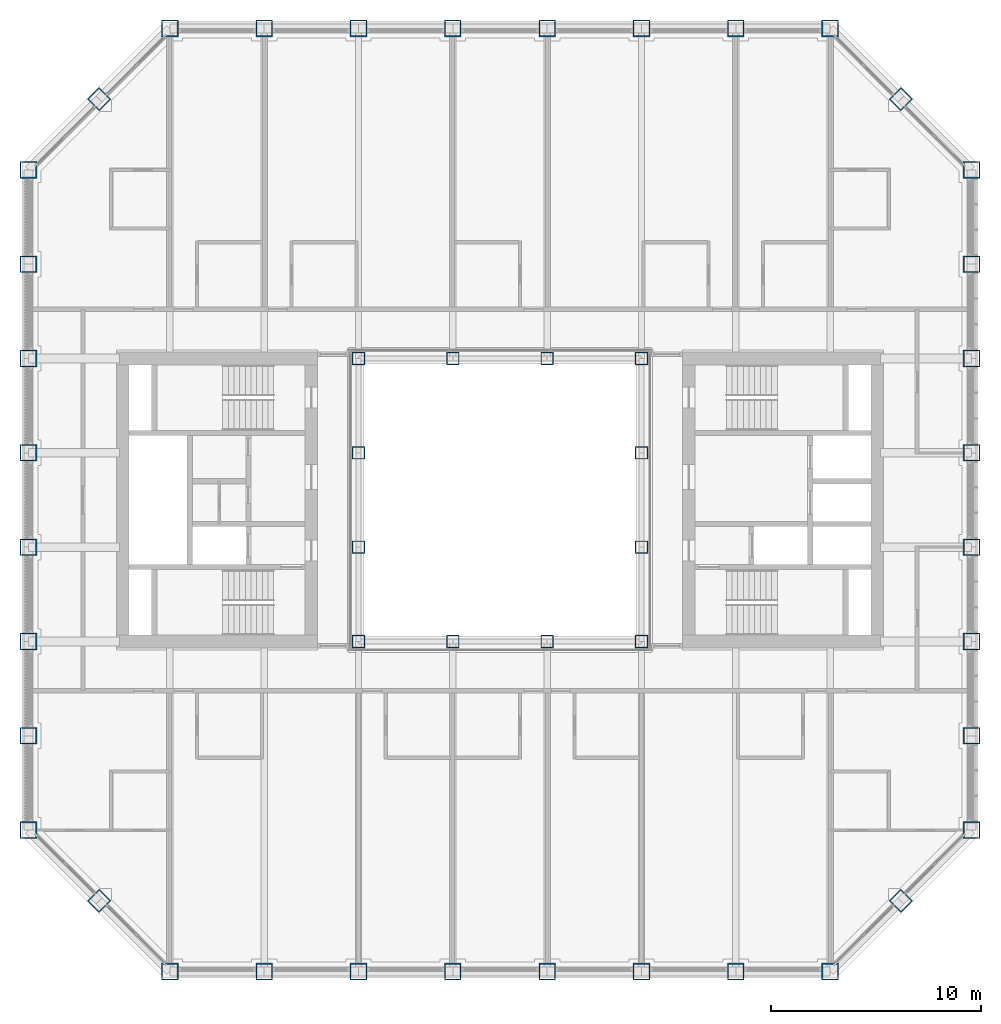
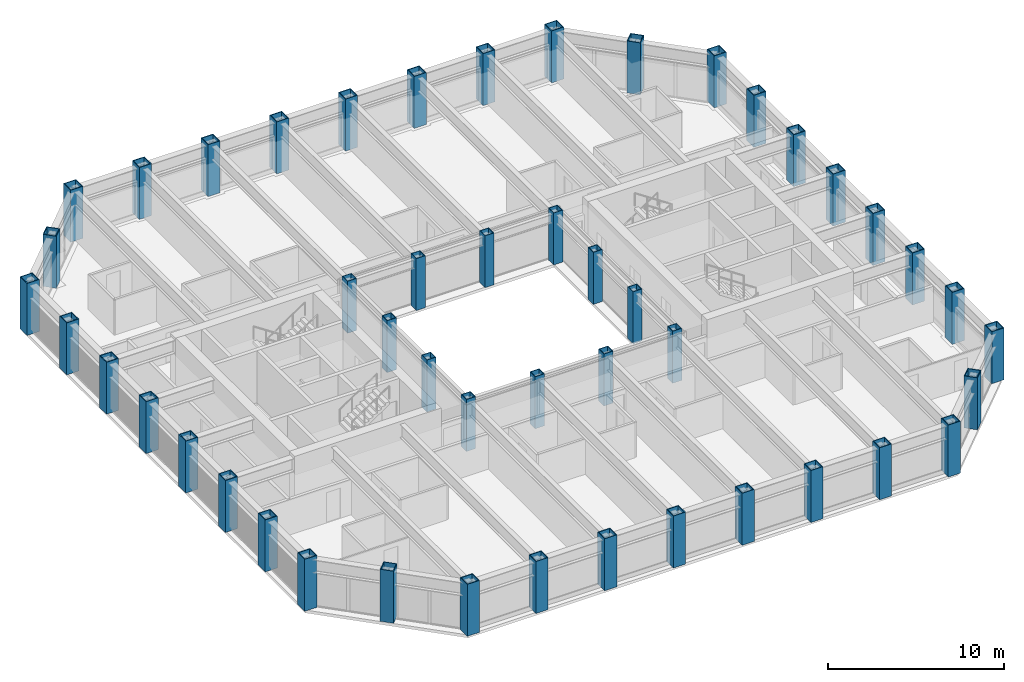
# One storey, part 1 of 17: 48 columns.
"""IFC4 building model written with IfcOpenShell, lengths in metres."""

from ifc_helpers import new_model, si_unit, direction, frame, origin, origin_2d, place, context, subcontext, project, spatial, hollow_rectangle, extrude, material, material_profile, profile_set, type_object, element, save


model = new_model("IFC4")

# Units and contexts
model_context = context("Model", 3, precision=1e-05, world=origin(), true_north=direction((0.0, 1.0)))
body_context = subcontext(model_context, "Body", "Model", "MODEL_VIEW")
ifc_project = project(units=[si_unit("LENGTHUNIT", "METRE"), si_unit("AREAUNIT", "SQUARE_METRE"), si_unit("VOLUMEUNIT", "CUBIC_METRE"), si_unit("PLANEANGLEUNIT", "RADIAN"), si_unit("MASSUNIT", "GRAM", prefix="KILO")], contexts=[model_context])

# Site, building, storey
site_placement = place(None, origin())
site = spatial("IfcSite", under=ifc_project, at=site_placement, CompositionType="ELEMENT")
building_placement = place(site_placement, origin())
building = spatial("IfcBuilding", under=site, at=building_placement, Name="Msasa Ring Tower", CompositionType="ELEMENT")
storey_placement = place(building_placement, frame((0.0, 0.0, 150.800048828125)))
storey = spatial("IfcBuildingStorey", under=building, at=storey_placement, Name="L39", CompositionType="ELEMENT", Elevation=150.800048828125)

# Columns
ifc_material_1 = material(Name="Steel S355", Category="steel")
ifc_material_profile_1 = material_profile(ifc_material_1, hollow_rectangle(XDim=0.60009765625, YDim=0.60009765625, WallThickness=0.0400390625, at=origin_2d()), Name="BOX 600x600x40")
ifc_profile_set_1 = profile_set([ifc_material_profile_1], Name="Steel S355")
column_type_1 = type_object("IfcColumnType", Name="IC4 BOX 600x600x40", PredefinedType="COLUMN", material=ifc_profile_set_1)
for number, where, z_axis, x_axis, name in (
    (1, (-6.75, -6.75, 0.0), (0.0, 0.0, 1.0), (1.0, 0.0, 0.0), "Inner ring column IR-6.75-6.75 L39"),
    (2, (-6.75, -2.25, 0.0), (0.0, 0.0, 1.0), (1.0, 0.0, 0.0), "Inner ring column IR-6.75-2.25 L39"),
    (3, (-6.75, 2.25, 0.0), (0.0, 0.0, 1.0), (1.0, 0.0, 0.0), "Inner ring column IR-6.75+2.25 L39"),
    (4, (-6.75, 6.75, 0.0), (0.0, 0.0, 1.0), (1.0, 0.0, 0.0), "Inner ring column IR-6.75+6.75 L39"),
    (5, (-2.25, -6.75, 0.0), (0.0, 0.0, 1.0), (1.0, 0.0, 0.0), "Inner ring column IR-2.25-6.75 L39"),
    (6, (-2.25, 6.75, 0.0), (0.0, 0.0, 1.0), (1.0, 0.0, 0.0), "Inner ring column IR-2.25+6.75 L39"),
    (7, (2.25, -6.75, 0.0), (0.0, 0.0, 1.0), (1.0, 0.0, 0.0), "Inner ring column IR+2.25-6.75 L39"),
    (8, (2.25, 6.75, 0.0), (0.0, 0.0, 1.0), (1.0, 0.0, 0.0), "Inner ring column IR+2.25+6.75 L39"),
    (9, (6.75, -6.75, 0.0), (0.0, 0.0, 1.0), (1.0, 0.0, 0.0), "Inner ring column IR+6.75-6.75 L39"),
    (10, (6.75, -2.25, 0.0), (0.0, 0.0, 1.0), (1.0, 0.0, 0.0), "Inner ring column IR+6.75-2.25 L39"),
    (11, (6.75, 2.25, 0.0), (0.0, 0.0, 1.0), (1.0, 0.0, 0.0), "Inner ring column IR+6.75+2.25 L39"),
    (12, (6.75, 6.75, 0.0), (0.0, 0.0, 1.0), (1.0, 0.0, 0.0), "Inner ring column IR+6.75+6.75 L39"),
):
    element("IfcColumn", number, at=place(storey_placement, frame(where, z_axis=z_axis, x_axis=x_axis)), inside=storey, type_object=column_type_1, Name=name, PredefinedType="COLUMN", context=body_context, shape_type="SweptSolid", body=[
        extrude(hollow_rectangle(XDim=0.60009765625, YDim=0.60009765625, WallThickness=0.0400390625, at=origin_2d()), origin(), (0.0, 0.0, 1.0), 3.599853515625),
    ])
ifc_material_2 = material(Name="Steel S355", Category="steel")
ifc_material_profile_2 = material_profile(ifc_material_2, hollow_rectangle(XDim=0.800048828125, YDim=0.800048828125, WallThickness=0.050048828125, at=origin_2d()), Name="BOX 800x800x50")
ifc_profile_set_2 = profile_set([ifc_material_profile_2], Name="Steel S355")
column_type_2 = type_object("IfcColumnType", Name="TC4 BOX 800x800x50", PredefinedType="COLUMN", material=ifc_profile_set_2)
for number, where, z_axis, x_axis, name in (
    (13, (-15.75, -22.5, 0.0), (0.0, 0.0, 1.0), (0.0, 1.0, 0.0), "Tube column S-15.75 L39"),
    (14, (-15.75, 22.5, 0.0), (0.0, 0.0, 1.0), (0.0, 1.0, 0.0), "Tube column N-15.75 L39"),
    (15, (22.5, -15.75, 0.0), (0.0, 0.0, 1.0), (1.0, 0.0, 0.0), "Tube column E-15.75 L39"),
    (16, (-22.5, -15.75, 0.0), (0.0, 0.0, 1.0), (1.0, 0.0, 0.0), "Tube column W-15.75 L39"),
    (17, (-11.25, -22.5, 0.0), (0.0, 0.0, 1.0), (0.0, 1.0, 0.0), "Tube column S-11.25 L39"),
    (18, (-11.25, 22.5, 0.0), (0.0, 0.0, 1.0), (0.0, 1.0, 0.0), "Tube column N-11.25 L39"),
    (19, (22.5, -11.25, 0.0), (0.0, 0.0, 1.0), (1.0, 0.0, 0.0), "Tube column E-11.25 L39"),
    (20, (-22.5, -11.25, 0.0), (0.0, 0.0, 1.0), (1.0, 0.0, 0.0), "Tube column W-11.25 L39"),
    (21, (-6.75, -22.5, 0.0), (0.0, 0.0, 1.0), (0.0, 1.0, 0.0), "Tube column S-6.75 L39"),
    (22, (-6.75, 22.5, 0.0), (0.0, 0.0, 1.0), (0.0, 1.0, 0.0), "Tube column N-6.75 L39"),
    (23, (22.5, -6.75, 0.0), (0.0, 0.0, 1.0), (1.0, 0.0, 0.0), "Tube column E-6.75 L39"),
    (24, (-22.5, -6.75, 0.0), (0.0, 0.0, 1.0), (1.0, 0.0, 0.0), "Tube column W-6.75 L39"),
    (25, (-2.25, -22.5, 0.0), (0.0, 0.0, 1.0), (0.0, 1.0, 0.0), "Tube column S-2.25 L39"),
    (26, (-2.25, 22.5, 0.0), (0.0, 0.0, 1.0), (0.0, 1.0, 0.0), "Tube column N-2.25 L39"),
    (27, (22.5, -2.25, 0.0), (0.0, 0.0, 1.0), (1.0, 0.0, 0.0), "Tube column E-2.25 L39"),
    (28, (-22.5, -2.25, 0.0), (0.0, 0.0, 1.0), (1.0, 0.0, 0.0), "Tube column W-2.25 L39"),
    (29, (2.25, -22.5, 0.0), (0.0, 0.0, 1.0), (0.0, 1.0, 0.0), "Tube column S+2.25 L39"),
    (30, (2.25, 22.5, 0.0), (0.0, 0.0, 1.0), (0.0, 1.0, 0.0), "Tube column N+2.25 L39"),
    (31, (22.5, 2.25, 0.0), (0.0, 0.0, 1.0), (1.0, 0.0, 0.0), "Tube column E+2.25 L39"),
    (32, (-22.5, 2.25, 0.0), (0.0, 0.0, 1.0), (1.0, 0.0, 0.0), "Tube column W+2.25 L39"),
    (33, (6.75, -22.5, 0.0), (0.0, 0.0, 1.0), (0.0, 1.0, 0.0), "Tube column S+6.75 L39"),
    (34, (6.75, 22.5, 0.0), (0.0, 0.0, 1.0), (0.0, 1.0, 0.0), "Tube column N+6.75 L39"),
    (35, (22.5, 6.75, 0.0), (0.0, 0.0, 1.0), (1.0, 0.0, 0.0), "Tube column E+6.75 L39"),
    (36, (-22.5, 6.75, 0.0), (0.0, 0.0, 1.0), (1.0, 0.0, 0.0), "Tube column W+6.75 L39"),
    (37, (11.25, -22.5, 0.0), (0.0, 0.0, 1.0), (0.0, 1.0, 0.0), "Tube column S+11.25 L39"),
    (38, (11.25, 22.5, 0.0), (0.0, 0.0, 1.0), (0.0, 1.0, 0.0), "Tube column N+11.25 L39"),
    (39, (22.5, 11.25, 0.0), (0.0, 0.0, 1.0), (1.0, 0.0, 0.0), "Tube column E+11.25 L39"),
    (40, (-22.5, 11.25, 0.0), (0.0, 0.0, 1.0), (1.0, 0.0, 0.0), "Tube column W+11.25 L39"),
    (41, (15.75, -22.5, 0.0), (0.0, 0.0, 1.0), (0.0, 1.0, 0.0), "Tube column S+15.75 L39"),
    (42, (15.75, 22.5, 0.0), (0.0, 0.0, 1.0), (0.0, 1.0, 0.0), "Tube column N+15.75 L39"),
    (43, (22.5, 15.75, 0.0), (0.0, 0.0, 1.0), (1.0, 0.0, 0.0), "Tube column E+15.75 L39"),
    (44, (-22.5, 15.75, 0.0), (0.0, 0.0, 1.0), (1.0, 0.0, 0.0), "Tube column W+15.75 L39"),
    (45, (19.125, -19.125, 0.0), (0.0, 0.0, 1.0), (0.707106781187, -0.707106781187, 0.0), "Tube column SE L39"),
    (46, (19.125, 19.125, 0.0), (0.0, 0.0, 1.0), (0.707106781187, 0.707106781187, 0.0), "Tube column NE L39"),
    (47, (-19.125, 19.125, 0.0), (0.0, 0.0, 1.0), (0.707106781187, -0.707106781187, 0.0), "Tube column NW L39"),
    (48, (-19.125, -19.125, 0.0), (0.0, 0.0, 1.0), (0.707106781187, 0.707106781187, 0.0), "Tube column SW L39"),
):
    element("IfcColumn", number, at=place(storey_placement, frame(where, z_axis=z_axis, x_axis=x_axis)), inside=storey, type_object=column_type_2, Name=name, PredefinedType="COLUMN", context=body_context, shape_type="SweptSolid", body=[
        extrude(hollow_rectangle(XDim=0.800048828125, YDim=0.800048828125, WallThickness=0.050048828125, at=origin_2d()), origin(), (0.0, 0.0, 1.0), 3.599853515625),
    ])

save(model, "model.ifc")
